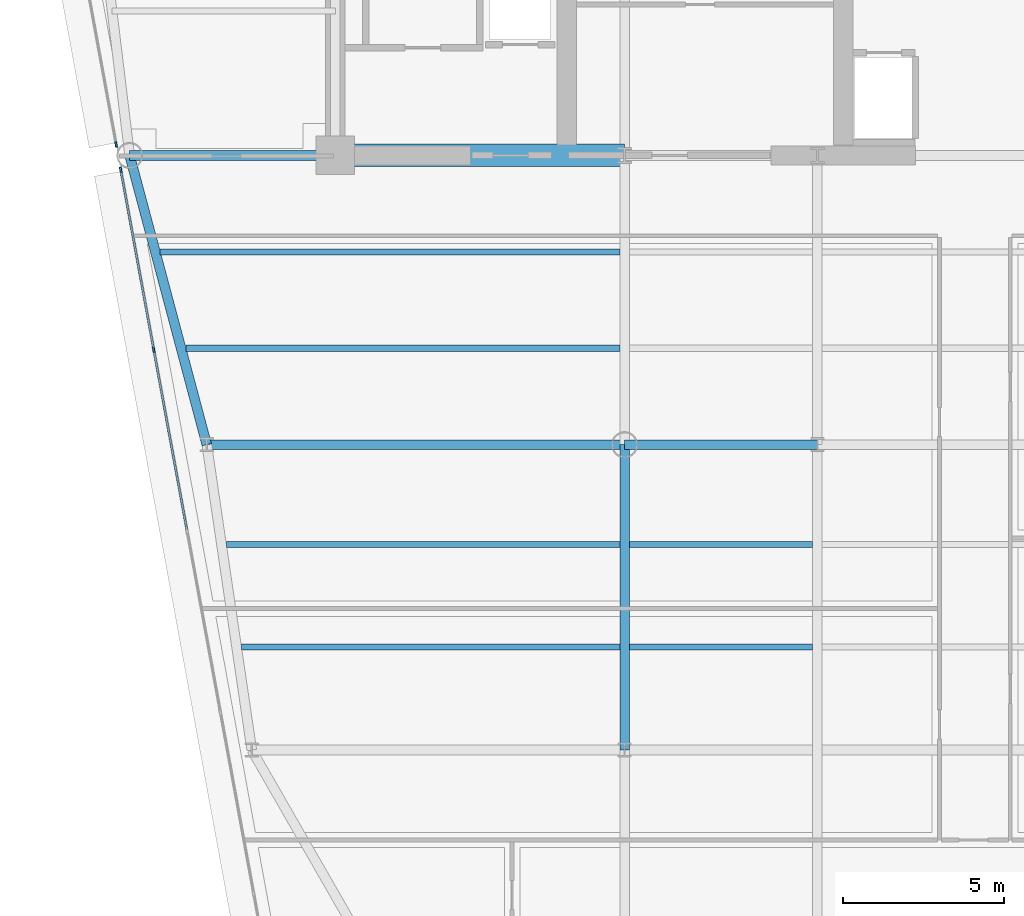
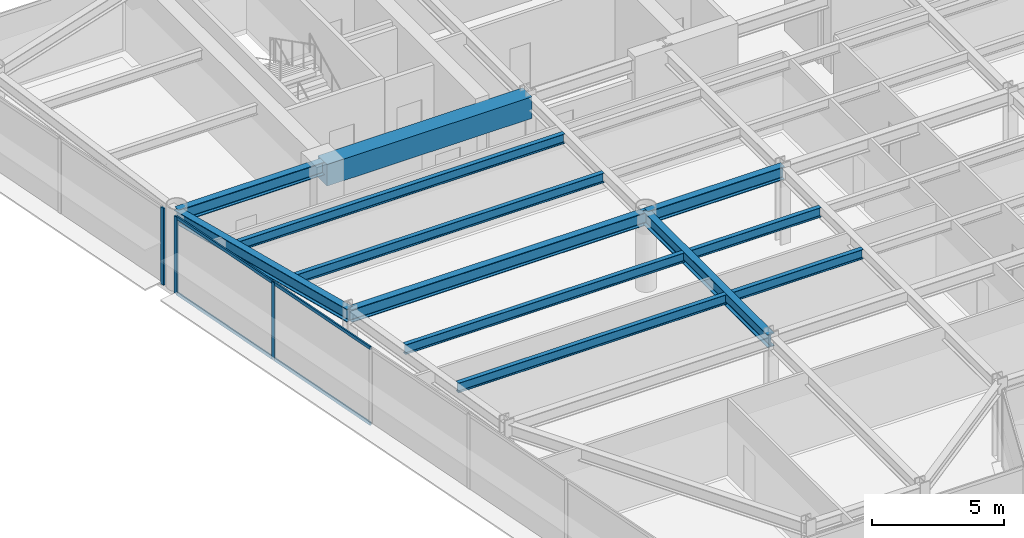
# One storey, part 4 of 16: 12 beams, 7 members, 2 elements without a shape of their own.
"""IFC4 building model written with IfcOpenShell, lengths in metres."""

from ifc_helpers import new_model, si_unit, direction, frame, origin, origin_2d, place, context, subcontext, project, spatial, rectangle, i_section, extrude, source, transform, mapped, material, layer, layer_set, material_profile, profile_set, type_object, element, aggregate, save


model = new_model("IFC4")

# Units and contexts
model_context = context("Model", 3, precision=1e-05, world=origin(), true_north=direction((0.0, 1.0)))
body_context = subcontext(model_context, "Body", "Model", "MODEL_VIEW")
ifc_project = project(units=[si_unit("LENGTHUNIT", "METRE"), si_unit("AREAUNIT", "SQUARE_METRE"), si_unit("VOLUMEUNIT", "CUBIC_METRE"), si_unit("PLANEANGLEUNIT", "RADIAN"), si_unit("MASSUNIT", "GRAM", prefix="KILO")], contexts=[model_context])

# Site, building, storey
site_placement = place(None, origin())
site = spatial("IfcSite", under=ifc_project, at=site_placement, CompositionType="ELEMENT")
building_placement = place(site_placement, origin())
building = spatial("IfcBuilding", under=site, at=building_placement, Name="Vaeldorn Concourse Tower", CompositionType="ELEMENT")
storey_placement = place(building_placement, frame((0.0, 0.0, 191.800048828125)))
storey = spatial("IfcBuildingStorey", under=building, at=storey_placement, Name="L49", CompositionType="ELEMENT", Elevation=191.800048828125)

# Beams
ifc_material_1 = material(Name="Concrete C50/60", Category="concrete")
ifc_material_profile_1 = material_profile(ifc_material_1, rectangle(XDim=0.699951171875, YDim=1.0, at=origin_2d()), Name="RC 700x1000")
ifc_profile_set_1 = profile_set([ifc_material_profile_1], Name="Concrete C50/60")
beam_type_1 = type_object("IfcBeamType", Name="BM-CB-RC700", PredefinedType="BEAM", material=ifc_profile_set_1)
shared_shape_1 = source(origin(), body_context, "Body", "SweptSolid", [
    extrude(rectangle(XDim=0.699951171875, YDim=1.0, at=origin_2d()), origin(), (0.0, 0.0, 1.0), 9.0),
])
beam_1_placement = place(storey_placement, frame((14.0, 36.5, 3.079833984375), z_axis=(1.0, 0.0, 0.0), x_axis=(0.0, 1.0, 0.0)))
element("IfcBeam", 1, at=beam_1_placement, inside=storey, type_object=beam_type_1, Name="Core Coupling Beam L49-1", PredefinedType="BEAM", context=body_context, shape_type="MappedRepresentation", body=[
    mapped(shared_shape_1, transform((0.0, 0.0, 0.0), scale=1.0)),
])
ifc_material_2 = material(Name="Steel S355", Category="steel")
ifc_material_profile_2 = material_profile(ifc_material_2, i_section(OverallWidth=0.18994140625, OverallDepth=0.449951171875, WebThickness=0.009521484375, FlangeThickness=0.0146484375, FilletRadius=0.02099609375, at=origin_2d()), Name="IPE 450")
ifc_profile_set_2 = profile_set([ifc_material_profile_2], Name="Steel S355")
beam_type_2 = type_object("IfcBeamType", Name="BM-JS-IPE450", PredefinedType="JOIST", material=ifc_profile_set_2)
shared_shape_2 = source(origin(), body_context, "Body", "SweptSolid", [
    extrude(i_section(OverallWidth=0.18994140625, OverallDepth=0.449951171875, WebThickness=0.009521484375, FlangeThickness=0.0146484375, FilletRadius=0.02099609375, at=origin_2d()), origin(), (0.0, 0.0, 1.0), 5.7001953125),
])
for number, where, z_axis, x_axis, name in (
    (2, (23.14990234375, 21.199951171875, 3.35498046875), (1.0, 0.0, 0.0), (0.0, 1.0, 0.0), "Beam JS-L49-W2-212"),
    (3, (23.14990234375, 24.39990234375, 3.35498046875), (1.0, 0.0, 0.0), (0.0, 1.0, 0.0), "Beam JS-L49-W2-244"),
):
    element("IfcBeam", number, at=place(storey_placement, frame(where, z_axis=z_axis, x_axis=x_axis)), inside=storey, type_object=beam_type_2, Name=name, PredefinedType="JOIST", context=body_context, shape_type="MappedRepresentation", body=[
        mapped(shared_shape_2, transform((0.0, 0.0, 0.0), scale=1.0)),
    ])
shared_shape_3 = source(origin(), body_context, "Body", "SweptSolid", [
    extrude(i_section(OverallWidth=0.18994140625, OverallDepth=0.449951171875, WebThickness=0.009521484375, FlangeThickness=0.0146484375, FilletRadius=0.02099609375, at=origin_2d()), origin(), (0.0, 0.0, 1.0), 11.771728515625),
])
beam_2_placement = place(storey_placement, frame((11.078369140625, 21.199951171875, 3.35498046875), z_axis=(1.0, 0.0, 0.0), x_axis=(0.0, 1.0, 0.0)))
element("IfcBeam", 4, at=beam_2_placement, inside=storey, type_object=beam_type_2, Name="Beam JS-L49-W1-212", PredefinedType="JOIST", context=body_context, shape_type="MappedRepresentation", body=[
    mapped(shared_shape_3, transform((0.0, 0.0, 0.0), scale=1.0)),
])
shared_shape_4 = source(origin(), body_context, "Body", "SweptSolid", [
    extrude(i_section(OverallWidth=0.18994140625, OverallDepth=0.449951171875, WebThickness=0.009521484375, FlangeThickness=0.0146484375, FilletRadius=0.02099609375, at=origin_2d()), origin(), (0.0, 0.0, 1.0), 12.243408203125),
])
beam_3_placement = place(storey_placement, frame((10.606689453125, 24.39990234375, 3.35498046875), z_axis=(1.0, 0.0, 0.0), x_axis=(0.0, 1.0, 0.0)))
element("IfcBeam", 5, at=beam_3_placement, inside=storey, type_object=beam_type_2, Name="Beam JS-L49-W1-244", PredefinedType="JOIST", context=body_context, shape_type="MappedRepresentation", body=[
    mapped(shared_shape_4, transform((0.0, 0.0, 0.0), scale=1.0)),
])
shared_shape_5 = source(origin(), body_context, "Body", "SweptSolid", [
    extrude(i_section(OverallWidth=0.18994140625, OverallDepth=0.449951171875, WebThickness=0.009521484375, FlangeThickness=0.0146484375, FilletRadius=0.02099609375, at=origin_2d()), origin(), (0.0, 0.0, 1.0), 13.5),
])
beam_4_placement = place(storey_placement, frame((9.35009765625, 30.5, 3.35498046875), z_axis=(1.0, 0.0, 0.0), x_axis=(0.0, 1.0, 0.0)))
element("IfcBeam", 6, at=beam_4_placement, inside=storey, type_object=beam_type_2, Name="Beam JS-L49-W1-305", PredefinedType="JOIST", context=body_context, shape_type="MappedRepresentation", body=[
    mapped(shared_shape_5, transform((0.0, 0.0, 0.0), scale=1.0)),
])
shared_shape_6 = source(origin(), body_context, "Body", "SweptSolid", [
    extrude(i_section(OverallWidth=0.18994140625, OverallDepth=0.449951171875, WebThickness=0.009521484375, FlangeThickness=0.0146484375, FilletRadius=0.02099609375, at=origin_2d()), origin(), (0.0, 0.0, 1.0), 14.300048828125),
])
beam_5_placement = place(storey_placement, frame((8.550048828125, 33.5, 3.35498046875), z_axis=(1.0, 0.0, 0.0), x_axis=(0.0, 1.0, 0.0)))
element("IfcBeam", 7, at=beam_5_placement, inside=storey, type_object=beam_type_2, Name="Beam JS-L49-W1-335", PredefinedType="JOIST", context=body_context, shape_type="MappedRepresentation", body=[
    mapped(shared_shape_6, transform((0.0, 0.0, 0.0), scale=1.0)),
])
ifc_material_profile_3 = material_profile(ifc_material_2, i_section(OverallWidth=0.300048828125, OverallDepth=0.60009765625, WebThickness=0.015380859375, FlangeThickness=0.030029296875, FilletRadius=0.027099609375, at=origin_2d()), Name="HEB 600")
ifc_profile_set_3 = profile_set([ifc_material_profile_3], Name="Steel S355")
beam_type_3 = type_object("IfcBeamType", Name="BM-PG-HEB600", PredefinedType="BEAM", material=ifc_profile_set_3)
shared_shape_7 = source(origin(), body_context, "Body", "SweptSolid", [
    extrude(i_section(OverallWidth=0.300048828125, OverallDepth=0.60009765625, WebThickness=0.015380859375, FlangeThickness=0.030029296875, FilletRadius=0.027099609375, at=origin_2d()), origin(), (0.0, 0.0, 1.0), 6.0),
])
beam_6_placement = place(storey_placement, frame((23.0, 27.5, 3.280029296875), z_axis=(1.0, 0.0, 0.0), x_axis=(0.0, 1.0, 0.0)))
element("IfcBeam", 8, at=beam_6_placement, inside=storey, type_object=beam_type_3, Name="Beam BM-L49-C-TW1-C-TW2", PredefinedType="BEAM", context=body_context, shape_type="MappedRepresentation", body=[
    mapped(shared_shape_7, transform((0.0, 0.0, 0.0), scale=1.0)),
])
shared_shape_8 = source(origin(), body_context, "Body", "SweptSolid", [
    extrude(i_section(OverallWidth=0.300048828125, OverallDepth=0.60009765625, WebThickness=0.015380859375, FlangeThickness=0.030029296875, FilletRadius=0.027099609375, at=origin_2d()), origin(), (0.0, 0.0, 1.0), 6.39990234375),
])
beam_7_placement = place(storey_placement, frame((7.60009765625, 36.5, 3.280029296875), z_axis=(1.0, 0.0, 0.0), x_axis=(0.0, 1.0, 0.0)))
element("IfcBeam", 9, at=beam_7_placement, inside=storey, type_object=beam_type_3, Name="Beam BM-L49-C-NW2-C-FC1", PredefinedType="BEAM", context=body_context, shape_type="MappedRepresentation", body=[
    mapped(shared_shape_8, transform((0.0, 0.0, 0.0), scale=1.0)),
])
shared_shape_9 = source(origin(), body_context, "Body", "SweptSolid", [
    extrude(i_section(OverallWidth=0.300048828125, OverallDepth=0.60009765625, WebThickness=0.015380859375, FlangeThickness=0.030029296875, FilletRadius=0.027099609375, at=origin_2d()), origin(), (0.0, 0.0, 1.0), 9.314453125),
])
beam_8_placement = place(storey_placement, frame((7.60009765625, 36.5, 3.280029296875), z_axis=(0.257652862255, -0.966237549763, 0.0), x_axis=(0.966237549763, 0.257652862255, 0.0)))
element("IfcBeam", 10, at=beam_8_placement, inside=storey, type_object=beam_type_3, Name="Beam BM-L49-C-NW2-C-FLW1", PredefinedType="BEAM", context=body_context, shape_type="MappedRepresentation", body=[
    mapped(shared_shape_9, transform((0.0, 0.0, 0.0), scale=1.0)),
])
shared_shape_10 = source(origin(), body_context, "Body", "SweptSolid", [
    extrude(i_section(OverallWidth=0.300048828125, OverallDepth=0.60009765625, WebThickness=0.015380859375, FlangeThickness=0.030029296875, FilletRadius=0.027099609375, at=origin_2d()), origin(), (0.0, 0.0, 1.0), 13.0),
])
beam_9_placement = place(storey_placement, frame((10.0, 27.5, 3.280029296875), z_axis=(1.0, 0.0, 0.0), x_axis=(0.0, 1.0, 0.0)))
element("IfcBeam", 11, at=beam_9_placement, inside=storey, type_object=beam_type_3, Name="Beam BM-L49-C-FLW1-C-TW1", PredefinedType="BEAM", context=body_context, shape_type="MappedRepresentation", body=[
    mapped(shared_shape_10, transform((0.0, 0.0, 0.0), scale=1.0)),
])
shared_shape_11 = source(origin(), body_context, "Body", "SweptSolid", [
    extrude(i_section(OverallWidth=0.300048828125, OverallDepth=0.60009765625, WebThickness=0.015380859375, FlangeThickness=0.030029296875, FilletRadius=0.027099609375, at=origin_2d()), origin(), (0.0, 0.0, 1.0), 9.5),
])
beam_10_placement = place(storey_placement, frame((23.0, 18.0, 3.280029296875), z_axis=(0.0, 1.0, 0.0), x_axis=(-1.0, 0.0, 0.0)))
element("IfcBeam", 12, at=beam_10_placement, inside=storey, type_object=beam_type_3, Name="Beam BM-L49-C-TW5-C-TW1", PredefinedType="BEAM", context=body_context, shape_type="MappedRepresentation", body=[
    mapped(shared_shape_11, transform((0.0, 0.0, 0.0), scale=1.0)),
])

# Curtain wall, member
ifc_material_3 = material(Name="Anodised Bronze Aluminium", Category="aluminium")
ifc_layer = layer(ifc_material_3, 0.18994140625)
ifc_layer_set = layer_set([ifc_layer], Name="Anodised Bronze Aluminium")
curtain_wall_type = type_object("IfcCurtainWallType", Name="CW-SYS-03", PredefinedType="NOTDEFINED", material=ifc_layer_set)
curtain_wall_1_placement = place(storey_placement, origin())
curtain_wall_1 = element("IfcCurtainWall", 13, at=curtain_wall_1_placement, inside=storey, type_object=curtain_wall_type, Name="Unitised Curtain Wall CW-L49-E11-1", PredefinedType="NOTDEFINED")
ifc_material_profile_4 = material_profile(ifc_material_3, rectangle(XDim=0.06494140625, YDim=0.169921875, at=origin_2d()), Name="CWM 65x170")
ifc_profile_set_4 = profile_set([ifc_material_profile_4], Name="Anodised Bronze Aluminium")
member_type_1 = type_object("IfcMemberType", Name="CWM-BRONZE-170", PredefinedType="MULLION", material=ifc_profile_set_4)
shared_shape_12 = source(origin(), body_context, "Body", "SweptSolid", [
    extrude(rectangle(XDim=0.06494140625, YDim=0.169921875, at=origin_2d()), origin(), (0.0, 0.0, 1.0), 3.579833984375),
])
member_1_placement = place(storey_placement, frame((7.177734375, 36.83935546875, 0.0), z_axis=(0.0, 0.0, 1.0), x_axis=(0.983559459619, 0.180584576845, 0.0)))
member_1 = element("IfcMember", 14, at=member_1_placement, type_object=member_type_1, Name="CW-03 mullion 3", PredefinedType="MULLION", context=body_context, shape_type="MappedRepresentation", body=[
    mapped(shared_shape_12, transform((0.0, 0.0, 0.0), scale=1.0)),
])
aggregate(curtain_wall_1, [member_1])

# Curtain wall, members
curtain_wall_2_placement = place(storey_placement, origin())
curtain_wall_2 = element("IfcCurtainWall", 15, at=curtain_wall_2_placement, inside=storey, type_object=curtain_wall_type, Name="Unitised Curtain Wall CW-L49-E11-2", PredefinedType="NOTDEFINED")
member_2_placement = place(storey_placement, frame((7.322265625, 36.051513671875, 0.0), z_axis=(0.0, 0.0, 1.0), x_axis=(0.983559325018, 0.180585309951, 0.0)))
member_2 = element("IfcMember", 16, at=member_2_placement, type_object=member_type_1, Name="CW-03 mullion 1", PredefinedType="MULLION", context=body_context, shape_type="MappedRepresentation", body=[
    mapped(shared_shape_12, transform((0.0, 0.0, 0.0), scale=1.0)),
])
member_3_placement = place(storey_placement, frame((8.351318359375, 30.44677734375, 0.0), z_axis=(0.0, 0.0, 1.0), x_axis=(0.983559325018, 0.180585309951, 0.0)))
member_3 = element("IfcMember", 17, at=member_3_placement, type_object=member_type_1, Name="CW-03 mullion 2", PredefinedType="MULLION", context=body_context, shape_type="MappedRepresentation", body=[
    mapped(shared_shape_12, transform((0.0, 0.0, 0.0), scale=1.0)),
])
ifc_material_profile_5 = material_profile(ifc_material_3, rectangle(XDim=0.06494140625, YDim=0.14990234375, at=origin_2d()), Name="CWT 65x150")
ifc_profile_set_5 = profile_set([ifc_material_profile_5], Name="Anodised Bronze Aluminium")
member_type_2 = type_object("IfcMemberType", Name="CWT-BRONZE-150", PredefinedType="USERDEFINED", material=ifc_profile_set_5)
shared_shape_13 = source(origin(), body_context, "Body", "SweptSolid", [
    extrude(rectangle(XDim=0.06494140625, YDim=0.14990234375, at=origin_2d()), origin(), (0.0, 0.0, 1.0), 5.63330078125),
])
member_4_placement = place(storey_placement, frame((7.328125, 36.01953125, 0.032470703125), z_axis=(0.180589917692, -0.983558479008, 0.0), x_axis=(0.983558479008, 0.180589917692, 0.0)))
member_4 = element("IfcMember", 18, at=member_4_placement, type_object=member_type_2, Name="CW-03 transom 1.1", ObjectType="TRANSOM", PredefinedType="USERDEFINED", context=body_context, shape_type="MappedRepresentation", body=[
    mapped(shared_shape_13, transform((0.0, 0.0, 0.0), scale=1.0)),
])
member_5_placement = place(storey_placement, frame((7.328125, 36.01953125, 3.54736328125), z_axis=(0.180589917692, -0.983558479008, 0.0), x_axis=(0.983558479008, 0.180589917692, 0.0)))
member_5 = element("IfcMember", 19, at=member_5_placement, type_object=member_type_2, Name="CW-03 transom 1.2", ObjectType="TRANSOM", PredefinedType="USERDEFINED", context=body_context, shape_type="MappedRepresentation", body=[
    mapped(shared_shape_13, transform((0.0, 0.0, 0.0), scale=1.0)),
])
shared_shape_14 = source(origin(), body_context, "Body", "SweptSolid", [
    extrude(rectangle(XDim=0.06494140625, YDim=0.14990234375, at=origin_2d()), origin(), (0.0, 0.0, 1.0), 5.666015625),
])
member_6_placement = place(storey_placement, frame((8.357177734375, 30.414794921875, 0.032470703125), z_axis=(0.180587719149, -0.983558882677, 0.0), x_axis=(0.983558882677, 0.180587719149, 0.0)))
member_6 = element("IfcMember", 20, at=member_6_placement, type_object=member_type_2, Name="CW-03 transom 2.1", ObjectType="TRANSOM", PredefinedType="USERDEFINED", context=body_context, shape_type="MappedRepresentation", body=[
    mapped(shared_shape_14, transform((0.0, 0.0, 0.0), scale=1.0)),
])
member_7_placement = place(storey_placement, frame((8.357177734375, 30.414794921875, 3.54736328125), z_axis=(0.180587719149, -0.983558882677, 0.0), x_axis=(0.983558882677, 0.180587719149, 0.0)))
member_7 = element("IfcMember", 21, at=member_7_placement, type_object=member_type_2, Name="CW-03 transom 2.2", ObjectType="TRANSOM", PredefinedType="USERDEFINED", context=body_context, shape_type="MappedRepresentation", body=[
    mapped(shared_shape_14, transform((0.0, 0.0, 0.0), scale=1.0)),
])
aggregate(curtain_wall_2, [member_2, member_3, member_4, member_5, member_6, member_7])

save(model, "model.ifc")
